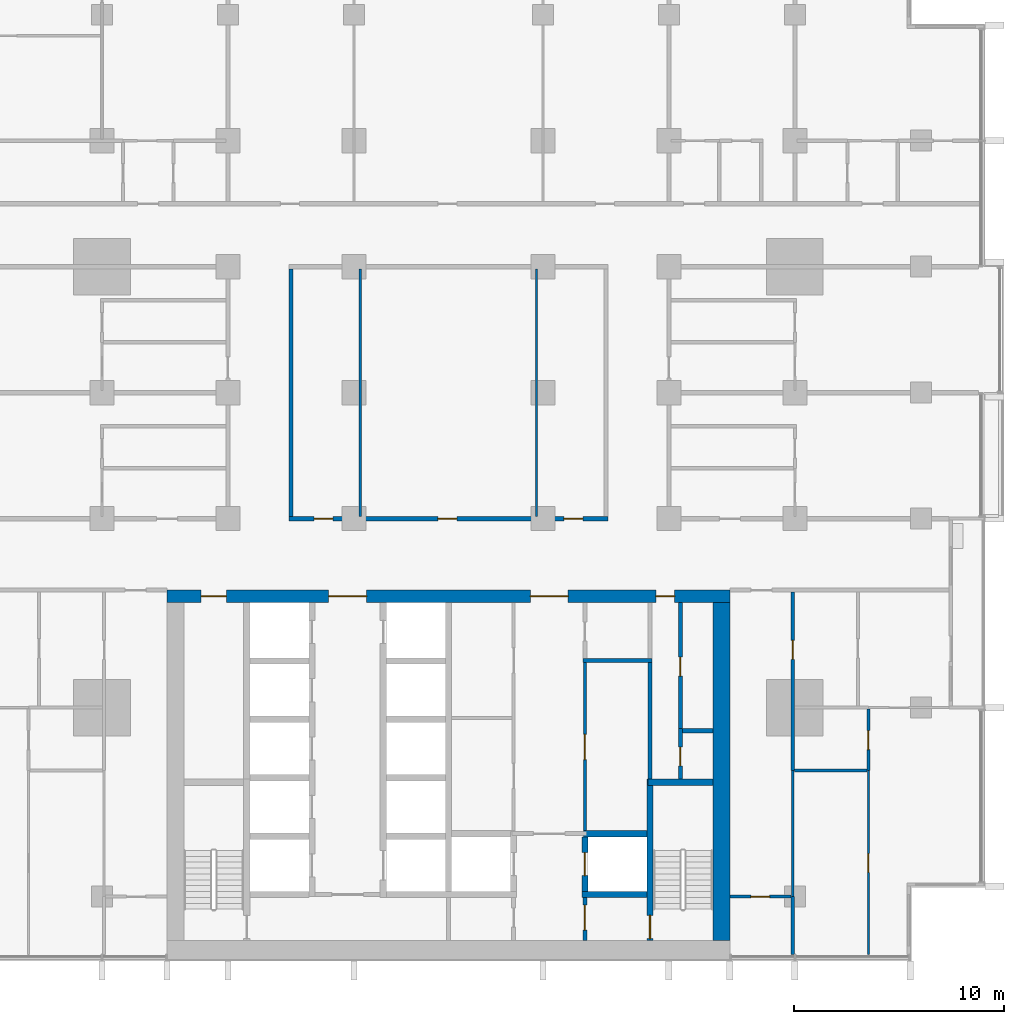
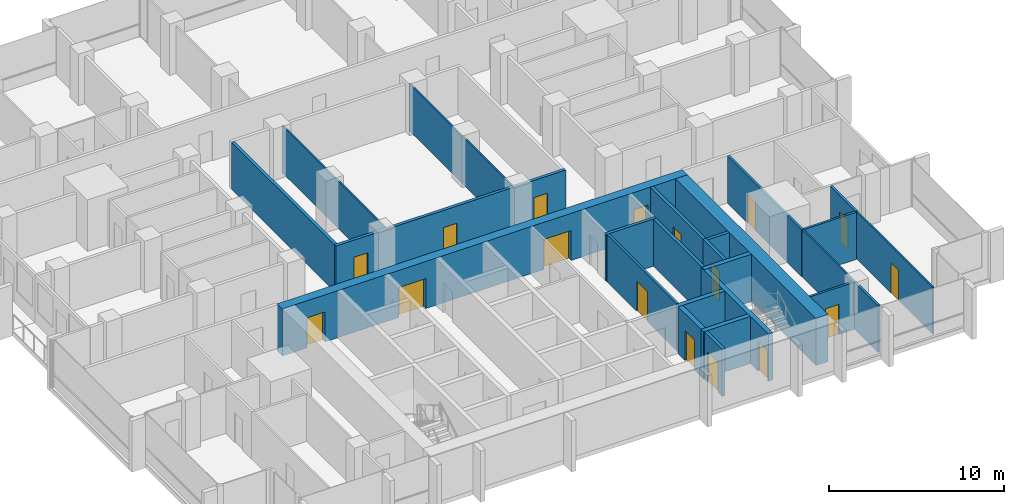
# One storey, part 9 of 17: 25 walls, 17 doors, 17 openings.
"""IFC4 building model written with IfcOpenShell, lengths in metres."""

from ifc_helpers import new_model, si_unit, direction, frame, frame_2d, origin, place, context, subcontext, project, spatial, rectangle, extrude, material, layer, layer_set, type_object, element, fill, save


model = new_model("IFC4")

# Units and contexts
model_context = context("Model", 3, precision=1e-05, world=origin(), true_north=direction((0.0, 1.0)))
body_context = subcontext(model_context, "Body", "Model", "MODEL_VIEW")
ifc_project = project(units=[si_unit("LENGTHUNIT", "METRE"), si_unit("AREAUNIT", "SQUARE_METRE"), si_unit("VOLUMEUNIT", "CUBIC_METRE"), si_unit("PLANEANGLEUNIT", "RADIAN"), si_unit("MASSUNIT", "GRAM", prefix="KILO")], contexts=[model_context])

# Site, building, storey
site_placement = place(None, origin())
site = spatial("IfcSite", under=ifc_project, at=site_placement, CompositionType="ELEMENT")
building_placement = place(site_placement, origin())
building = spatial("IfcBuilding", under=site, at=building_placement, Name="Finial Court Residences", CompositionType="ELEMENT")
storey_placement = place(building_placement, frame((0.0, 0.0, 117.10009765625)))
storey = spatial("IfcBuildingStorey", under=building, at=storey_placement, Name="L29", CompositionType="ELEMENT", Elevation=117.10009765625)

# Wall, openings, doors
ifc_material_1 = material(Name="Concrete C70/85", Category="concrete")
ifc_layer_1 = layer(ifc_material_1, 0.60009765625)
ifc_layer_set_1 = layer_set([ifc_layer_1], Name="Core outer wall 600 Concrete C70/85")
wall_type_1 = type_object("IfcWallType", Name="Core outer wall 600 Concrete C70/85", PredefinedType="SHEAR", material=ifc_layer_set_1)
wall_1_placement = place(storey_placement, frame((-13.39990234375, -8.199951171875, 0.0), z_axis=(0.0, 0.0, 1.0), x_axis=(1.0, 0.0, 0.0)))
wall_1 = element("IfcWall", 1, at=wall_1_placement, inside=storey, type_object=wall_type_1, Name="Core outer wall L29-02", PredefinedType="SHEAR", context=body_context, shape_type="SweptSolid", body=[
    extrude(rectangle(XDim=26.7998046875, YDim=0.60009765625, at=frame_2d((13.39990234375, 0.0))), origin(), (0.0, 0.0, 1.0), 3.2998046875),
])
opening_1_placement = place(wall_1_placement, frame((7.699951171875, 0.0, 0.0)))
opening_1 = element("IfcOpeningElement", 2, at=opening_1_placement, cuts=wall_1, Name="Opening L29-C04", PredefinedType="OPENING", context=body_context, shape_type="SweptSolid", body=[
    extrude(rectangle(XDim=1.800048828125, YDim=2.10009765625, at=frame_2d((0.89990234375, 1.050048828125))), frame((0.0, 0.31005859375, 0.0), z_axis=(0.0, -1.0, 0.0), x_axis=(1.0, 0.0, 0.0)), (0.0, 0.0, 1.0), 0.6201171875),
])
opening_2_placement = place(wall_1_placement, frame((17.300048828125, 0.0, 0.0)))
opening_2 = element("IfcOpeningElement", 3, at=opening_2_placement, cuts=wall_1, Name="Opening L29-C05", PredefinedType="OPENING", context=body_context, shape_type="SweptSolid", body=[
    extrude(rectangle(XDim=1.800048828125, YDim=2.10009765625, at=frame_2d((0.89990234375, 1.050048828125))), frame((0.0, 0.31005859375, 0.0), z_axis=(0.0, -1.0, 0.0), x_axis=(1.0, 0.0, 0.0)), (0.0, 0.0, 1.0), 0.6201171875),
])
opening_3_placement = place(wall_1_placement, frame((1.625, 0.0, 0.0)))
opening_3 = element("IfcOpeningElement", 4, at=opening_3_placement, cuts=wall_1, Name="Opening L29-C09", PredefinedType="OPENING", context=body_context, shape_type="SweptSolid", body=[
    extrude(rectangle(XDim=1.199951171875, YDim=2.10009765625, at=frame_2d((0.60009765625, 1.050048828125))), frame((0.0, 0.31005859375, 0.0), z_axis=(0.0, -1.0, 0.0), x_axis=(1.0, 0.0, 0.0)), (0.0, 0.0, 1.0), 0.6201171875),
])
opening_4_placement = place(wall_1_placement, frame((23.27490234375, 0.0, 0.0)))
opening_4 = element("IfcOpeningElement", 5, at=opening_4_placement, cuts=wall_1, Name="Opening L29-C10", PredefinedType="OPENING", context=body_context, shape_type="SweptSolid", body=[
    extrude(rectangle(XDim=0.89990234375, YDim=2.10009765625, at=frame_2d((0.449951171875, 1.050048828125))), frame((0.0, 0.31005859375, 0.0), z_axis=(0.0, -1.0, 0.0), x_axis=(1.0, 0.0, 0.0)), (0.0, 0.0, 1.0), 0.6201171875),
])
ifc_material_2 = material(Name="Steel fire door", Category="steel")
door_type_1 = type_object("IfcDoorType", Name="Lift lobby door 1800 x 2100 EI 60", OperationType="DOUBLE_DOOR_SINGLE_SWING", PredefinedType="DOOR", material=ifc_material_2)
door_1_placement = place(opening_1_placement, origin())
door_1 = element("IfcDoor", 6, at=door_1_placement, inside=storey, type_object=door_type_1, Name="Lift lobby door L29-C04", OperationType="DOUBLE_DOOR_SINGLE_SWING", OverallHeight=2.10009765625, OverallWidth=1.800048828125, PredefinedType="DOOR", context=body_context, shape_type="SweptSolid", body=[
    extrude(rectangle(XDim=1.800048828125, YDim=2.10009765625, at=frame_2d((0.89990234375, 1.050048828125))), frame((0.0, 0.02490234375, 0.0), z_axis=(0.0, -1.0, 0.0), x_axis=(1.0, 0.0, 0.0)), (0.0, 0.0, 1.0), 0.050048828125),
])
fill(opening_1, door_1)
door_2_placement = place(opening_2_placement, origin())
door_2 = element("IfcDoor", 7, at=door_2_placement, inside=storey, type_object=door_type_1, Name="Lift lobby door L29-C05", OperationType="DOUBLE_DOOR_SINGLE_SWING", OverallHeight=2.10009765625, OverallWidth=1.800048828125, PredefinedType="DOOR", context=body_context, shape_type="SweptSolid", body=[
    extrude(rectangle(XDim=1.800048828125, YDim=2.10009765625, at=frame_2d((0.89990234375, 1.050048828125))), frame((0.0, 0.02490234375, 0.0), z_axis=(0.0, -1.0, 0.0), x_axis=(1.0, 0.0, 0.0)), (0.0, 0.0, 1.0), 0.050048828125),
])
fill(opening_2, door_2)
door_type_2 = type_object("IfcDoorType", Name="Riser room door 1200 x 2100 EI 90", OperationType="NOTDEFINED", PredefinedType="DOOR", material=ifc_material_2)
door_3_placement = place(opening_3_placement, origin())
door_3 = element("IfcDoor", 8, at=door_3_placement, inside=storey, type_object=door_type_2, Name="Riser room door L29-C09", OperationType="SINGLE_SWING_LEFT", OverallHeight=2.10009765625, OverallWidth=1.199951171875, PredefinedType="DOOR", context=body_context, shape_type="SweptSolid", body=[
    extrude(rectangle(XDim=1.199951171875, YDim=2.10009765625, at=frame_2d((0.60009765625, 1.050048828125))), frame((0.0, 0.02490234375, 0.0), z_axis=(0.0, -1.0, 0.0), x_axis=(1.0, 0.0, 0.0)), (0.0, 0.0, 1.0), 0.050048828125),
])
fill(opening_3, door_3)
door_type_3 = type_object("IfcDoorType", Name="Riser room door 900 x 2100 EI 90", OperationType="NOTDEFINED", PredefinedType="DOOR", material=ifc_material_2)
door_4_placement = place(opening_4_placement, origin())
door_4 = element("IfcDoor", 9, at=door_4_placement, inside=storey, type_object=door_type_3, Name="Riser room door L29-C10", OperationType="SINGLE_SWING_LEFT", OverallHeight=2.10009765625, OverallWidth=0.89990234375, PredefinedType="DOOR", context=body_context, shape_type="SweptSolid", body=[
    extrude(rectangle(XDim=0.89990234375, YDim=2.10009765625, at=frame_2d((0.449951171875, 1.050048828125))), frame((0.0, 0.02490234375, 0.0), z_axis=(0.0, -1.0, 0.0), x_axis=(1.0, 0.0, 0.0)), (0.0, 0.0, 1.0), 0.050048828125),
])
fill(opening_4, door_4)

# Wall
ifc_layer_2 = layer(ifc_material_1, 0.800048828125)
ifc_layer_set_2 = layer_set([ifc_layer_2], Name="Core outer wall 800 Concrete C70/85")
wall_type_2 = type_object("IfcWallType", Name="Core outer wall 800 Concrete C70/85", PredefinedType="SHEAR", material=ifc_layer_set_2)
wall_2_placement = place(storey_placement, frame((13.0, -24.60009765625, 0.0), z_axis=(0.0, 0.0, 1.0), x_axis=(0.0, 1.0, 0.0)))
element("IfcWall", 10, at=wall_2_placement, inside=storey, type_object=wall_type_2, Name="Core outer wall L29-04", PredefinedType="SHEAR", context=body_context, shape_type="SweptSolid", body=[
    extrude(rectangle(XDim=16.10009765625, YDim=0.800048828125, at=frame_2d((8.050048828125, 0.0))), origin(), (0.0, 0.0, 1.0), 3.2998046875),
])

# Wall, opening, door
ifc_material_3 = material(Name="Fire-rated gypsum board partition")
ifc_layer_3 = layer(ifc_material_3, 0.14990234375)
ifc_layer_set_3 = layer_set([ifc_layer_3], Name="Core room partition 150 EI 60")
wall_type_3 = type_object("IfcWallType", Name="Core room partition 150 EI 60", PredefinedType="PARTITIONING", material=ifc_layer_set_3)
wall_3_placement = place(storey_placement, frame((6.5, -11.35009765625, 0.0), z_axis=(0.0, 0.0, 1.0), x_axis=(0.0, -1.0, 0.0)))
wall_3 = element("IfcWall", 11, at=wall_3_placement, inside=storey, type_object=wall_type_3, Name="Core partition L29-32", PredefinedType="PARTITIONING", context=body_context, shape_type="SweptSolid", body=[
    extrude(rectangle(XDim=8.0, YDim=0.14990234375, at=frame_2d((4.0, 0.0))), origin(), (0.0, 0.0, 1.0), 3.2998046875),
])
opening_5_placement = place(wall_3_placement, frame((3.425048828125, 0.0, 0.0)))
opening_5 = element("IfcOpeningElement", 12, at=opening_5_placement, cuts=wall_3, Name="Opening L29-C14", PredefinedType="OPENING", context=body_context, shape_type="SweptSolid", body=[
    extrude(rectangle(XDim=1.199951171875, YDim=2.10009765625, at=frame_2d((0.60009765625, 1.050048828125))), frame((0.0, 0.0849609375, 0.0), z_axis=(0.0, -1.0, 0.0), x_axis=(1.0, 0.0, 0.0)), (0.0, 0.0, 1.0), 0.169921875),
])
door_type_4 = type_object("IfcDoorType", Name="Core room door 1200 x 2100 EI 60", OperationType="NOTDEFINED", PredefinedType="DOOR", material=ifc_material_2)
door_5_placement = place(opening_5_placement, origin())
door_5 = element("IfcDoor", 13, at=door_5_placement, inside=storey, type_object=door_type_4, Name="Core room door L29-C14", OperationType="SINGLE_SWING_RIGHT", OverallHeight=2.10009765625, OverallWidth=1.199951171875, PredefinedType="DOOR", context=body_context, shape_type="SweptSolid", body=[
    extrude(rectangle(XDim=1.199951171875, YDim=2.10009765625, at=frame_2d((0.60009765625, 1.050048828125))), frame((0.0, 0.02490234375, 0.0), z_axis=(0.0, -1.0, 0.0), x_axis=(1.0, 0.0, 0.0)), (0.0, 0.0, 1.0), 0.050048828125),
])
fill(opening_5, door_5)

# Wall, openings, doors
ifc_material_4 = material(Name="Gypsum board")
ifc_layer_4 = layer(ifc_material_4, 0.02490234375)
ifc_material_5 = material(Name="Acoustic mineral wool in double frame")
ifc_layer_5 = layer(ifc_material_5, 0.14990234375)
ifc_layer_6 = layer(ifc_material_4, 0.02490234375)
ifc_layer_set_4 = layer_set([ifc_layer_4, ifc_layer_5, ifc_layer_6], Name="Corridor wall 200, 1 hour")
wall_type_4 = type_object("IfcWallType", Name="Corridor wall 200, 1 hour", PredefinedType="PARTITIONING", material=ifc_layer_set_4)
wall_4_placement = place(storey_placement, frame((-7.60009765625, -4.5, 0.0), z_axis=(0.0, 0.0, 1.0), x_axis=(1.0, 0.0, 0.0)))
wall_4 = element("IfcWall", 14, at=wall_4_placement, inside=storey, type_object=wall_type_4, Name="Partition L29-011", PredefinedType="PARTITIONING", context=body_context, shape_type="SweptSolid", body=[
    extrude(rectangle(XDim=15.2001953125, YDim=0.199951171875, at=frame_2d((7.60009765625, 0.0))), origin(), (0.0, 0.0, 1.0), 3.2998046875),
])
opening_6_placement = place(wall_4_placement, frame((1.199951171875, 0.0, 0.0)))
opening_6 = element("IfcOpeningElement", 15, at=opening_6_placement, cuts=wall_4, Name="Opening L29-D008", PredefinedType="OPENING", context=body_context, shape_type="SweptSolid", body=[
    extrude(rectangle(XDim=0.89990234375, YDim=2.10009765625, at=frame_2d((0.449951171875, 1.050048828125))), frame((0.0, 0.10986328125, 0.0), z_axis=(0.0, -1.0, 0.0), x_axis=(1.0, 0.0, 0.0)), (0.0, 0.0, 1.0), 0.219970703125),
])
opening_7_placement = place(wall_4_placement, frame((7.10009765625, 0.0, 0.0)))
opening_7 = element("IfcOpeningElement", 16, at=opening_7_placement, cuts=wall_4, Name="Opening L29-D009", PredefinedType="OPENING", context=body_context, shape_type="SweptSolid", body=[
    extrude(rectangle(XDim=0.89990234375, YDim=2.10009765625, at=frame_2d((0.449951171875, 1.050048828125))), frame((0.0, 0.10986328125, 0.0), z_axis=(0.0, -1.0, 0.0), x_axis=(1.0, 0.0, 0.0)), (0.0, 0.0, 1.0), 0.219970703125),
])
opening_8_placement = place(wall_4_placement, frame((13.10009765625, 0.0, 0.0)))
opening_8 = element("IfcOpeningElement", 17, at=opening_8_placement, cuts=wall_4, Name="Opening L29-D010", PredefinedType="OPENING", context=body_context, shape_type="SweptSolid", body=[
    extrude(rectangle(XDim=0.89990234375, YDim=2.10009765625, at=frame_2d((0.449951171875, 1.050048828125))), frame((0.0, 0.10986328125, 0.0), z_axis=(0.0, -1.0, 0.0), x_axis=(1.0, 0.0, 0.0)), (0.0, 0.0, 1.0), 0.219970703125),
])
ifc_material_6 = material(Name="Timber door leaf in hollow metal frame", Category="wood")
door_type_5 = type_object("IfcDoorType", Name="Fire door set 900 x 2100, 30 minutes", OperationType="SINGLE_SWING_LEFT", PredefinedType="DOOR", material=ifc_material_6)
door_6_placement = place(opening_6_placement, origin())
door_6 = element("IfcDoor", 18, at=door_6_placement, inside=storey, type_object=door_type_5, Name="Door L29-D008", OperationType="SINGLE_SWING_RIGHT", OverallHeight=2.10009765625, OverallWidth=0.89990234375, PredefinedType="DOOR", context=body_context, shape_type="SweptSolid", body=[
    extrude(rectangle(XDim=0.89990234375, YDim=2.10009765625, at=frame_2d((0.449951171875, 1.050048828125))), frame((0.0, 0.02490234375, 0.0), z_axis=(0.0, -1.0, 0.0), x_axis=(1.0, 0.0, 0.0)), (0.0, 0.0, 1.0), 0.050048828125),
])
fill(opening_6, door_6)
door_7_placement = place(opening_7_placement, origin())
door_7 = element("IfcDoor", 19, at=door_7_placement, inside=storey, type_object=door_type_5, Name="Door L29-D009", OperationType="SINGLE_SWING_RIGHT", OverallHeight=2.10009765625, OverallWidth=0.89990234375, PredefinedType="DOOR", context=body_context, shape_type="SweptSolid", body=[
    extrude(rectangle(XDim=0.89990234375, YDim=2.10009765625, at=frame_2d((0.449951171875, 1.050048828125))), frame((0.0, 0.02490234375, 0.0), z_axis=(0.0, -1.0, 0.0), x_axis=(1.0, 0.0, 0.0)), (0.0, 0.0, 1.0), 0.050048828125),
])
fill(opening_7, door_7)
door_8_placement = place(opening_8_placement, origin())
door_8 = element("IfcDoor", 20, at=door_8_placement, inside=storey, type_object=door_type_5, Name="Door L29-D010", OperationType="SINGLE_SWING_LEFT", OverallHeight=2.10009765625, OverallWidth=0.89990234375, PredefinedType="DOOR", context=body_context, shape_type="SweptSolid", body=[
    extrude(rectangle(XDim=0.89990234375, YDim=2.10009765625, at=frame_2d((0.449951171875, 1.050048828125))), frame((0.0, 0.02490234375, 0.0), z_axis=(0.0, -1.0, 0.0), x_axis=(1.0, 0.0, 0.0)), (0.0, 0.0, 1.0), 0.050048828125),
])
fill(opening_8, door_8)

# Wall
wall_5_placement = place(storey_placement, frame((-7.5, -4.39990234375, 0.0), z_axis=(0.0, 0.0, 1.0), x_axis=(0.0, 1.0, 0.0)))
element("IfcWall", 21, at=wall_5_placement, inside=storey, type_object=wall_type_4, Name="Partition L29-053", PredefinedType="PARTITIONING", context=body_context, shape_type="SweptSolid", body=[
    extrude(rectangle(XDim=11.7998046875, YDim=0.199951171875, at=frame_2d((5.89990234375, 0.0))), origin(), (0.0, 0.0, 1.0), 3.2998046875),
])

# Wall, opening, door
ifc_layer_7 = layer(ifc_material_3, 0.199951171875)
ifc_layer_set_5 = layer_set([ifc_layer_7], Name="Firefighting lobby wall 200 EI 120")
wall_type_5 = type_object("IfcWallType", Name="Firefighting lobby wall 200 EI 120", PredefinedType="PARTITIONING", material=ifc_layer_set_5)
wall_6_placement = place(storey_placement, frame((6.5, -22.550048828125, 0.0), z_axis=(0.0, 0.0, 1.0), x_axis=(0.0, -1.0, 0.0)))
wall_6 = element("IfcWall", 22, at=wall_6_placement, inside=storey, type_object=wall_type_5, Name="Core partition L29-30", PredefinedType="PARTITIONING", context=body_context, shape_type="SweptSolid", body=[
    extrude(rectangle(XDim=2.050048828125, YDim=0.199951171875, at=frame_2d((1.02490234375, 0.0))), origin(), (0.0, 0.0, 1.0), 3.2998046875),
])
opening_9_placement = place(wall_6_placement, frame((0.35009765625, 0.0, 0.0)))
opening_9 = element("IfcOpeningElement", 23, at=opening_9_placement, cuts=wall_6, Name="Opening L29-C01", PredefinedType="OPENING", context=body_context, shape_type="SweptSolid", body=[
    extrude(rectangle(XDim=1.199951171875, YDim=2.10009765625, at=frame_2d((0.60009765625, 1.050048828125))), frame((0.0, 0.10986328125, 0.0), z_axis=(0.0, -1.0, 0.0), x_axis=(1.0, 0.0, 0.0)), (0.0, 0.0, 1.0), 0.219970703125),
])
door_type_6 = type_object("IfcDoorType", Name="Firefighting lobby door 1200 x 2100 EI 90", OperationType="NOTDEFINED", PredefinedType="DOOR", material=ifc_material_2)
door_9_placement = place(opening_9_placement, origin())
door_9 = element("IfcDoor", 24, at=door_9_placement, inside=storey, type_object=door_type_6, Name="Firefighting lobby door L29-C01", OperationType="SINGLE_SWING_RIGHT", OverallHeight=2.10009765625, OverallWidth=1.199951171875, PredefinedType="DOOR", context=body_context, shape_type="SweptSolid", body=[
    extrude(rectangle(XDim=1.199951171875, YDim=2.10009765625, at=frame_2d((0.60009765625, 1.050048828125))), frame((0.0, 0.02490234375, 0.0), z_axis=(0.0, -1.0, 0.0), x_axis=(1.0, 0.0, 0.0)), (0.0, 0.0, 1.0), 0.050048828125),
])
fill(opening_9, door_9)

# Walls
ifc_layer_8 = layer(ifc_material_4, 0.012451171875)
ifc_material_7 = material(Name="Mineral wool in light-gauge frame")
ifc_layer_9 = layer(ifc_material_7, 0.074951171875)
ifc_layer_10 = layer(ifc_material_4, 0.012451171875)
ifc_layer_set_6 = layer_set([ifc_layer_8, ifc_layer_9, ifc_layer_10], Name="Gypsum board partition 100")
wall_type_6 = type_object("IfcWallType", Name="Gypsum board partition 100", PredefinedType="PARTITIONING", material=ifc_layer_set_6)
for number, where, z_axis, x_axis, name in (
    (25, (-4.199951171875, -4.39990234375, 0.0), (0.0, 0.0, 1.0), (0.0, 1.0, 0.0), "Partition L29-055"),
    (26, (4.199951171875, -4.39990234375, 0.0), (0.0, 0.0, 1.0), (0.0, 1.0, 0.0), "Partition L29-056"),
):
    element("IfcWall", number, at=place(storey_placement, frame(where, z_axis=z_axis, x_axis=x_axis)), inside=storey, type_object=wall_type_6, Name=name, PredefinedType="PARTITIONING", context=body_context, shape_type="SweptSolid", body=[
        extrude(rectangle(XDim=11.7998046875, YDim=0.10009765625, at=frame_2d((5.89990234375, 0.0))), origin(), (0.0, 0.0, 1.0), 3.2998046875),
    ])
wall_7_placement = place(storey_placement, frame((16.39990234375, -22.5, 0.0), z_axis=(0.0, 0.0, 1.0), x_axis=(0.0, 1.0, 0.0)))
element("IfcWall", 27, at=wall_7_placement, inside=storey, type_object=wall_type_6, Name="Partition L29-063", PredefinedType="PARTITIONING", context=body_context, shape_type="SweptSolid", body=[
    extrude(rectangle(XDim=6.0, YDim=0.10009765625, at=frame_2d((3.0, 0.0))), origin(), (0.0, 0.0, 1.0), 3.2998046875),
])

# Wall, opening, door
wall_8_placement = place(storey_placement, frame((20.0, -25.25, 0.0), z_axis=(0.0, 0.0, 1.0), x_axis=(0.0, 1.0, 0.0)))
wall_8 = element("IfcWall", 28, at=wall_8_placement, inside=storey, type_object=wall_type_6, Name="Partition L29-073", PredefinedType="PARTITIONING", context=body_context, shape_type="SweptSolid", body=[
    extrude(rectangle(XDim=8.75, YDim=0.10009765625, at=frame_2d((4.375, 0.0))), origin(), (0.0, 0.0, 1.0), 3.2998046875),
])
opening_10_placement = place(wall_8_placement, frame((3.89990234375, 0.0, 0.0)))
opening_10 = element("IfcOpeningElement", 29, at=opening_10_placement, cuts=wall_8, Name="Opening L29-D045", PredefinedType="OPENING", context=body_context, shape_type="SweptSolid", body=[
    extrude(rectangle(XDim=0.89990234375, YDim=2.10009765625, at=frame_2d((0.449951171875, 1.050048828125))), frame((0.0, 0.06005859375, 0.0), z_axis=(0.0, -1.0, 0.0), x_axis=(1.0, 0.0, 0.0)), (0.0, 0.0, 1.0), 0.1201171875),
])
ifc_material_8 = material(Name="Timber door leaf in timber frame", Category="wood")
door_type_7 = type_object("IfcDoorType", Name="Door set 900 x 2100", OperationType="SINGLE_SWING_LEFT", PredefinedType="DOOR", material=ifc_material_8)
door_10_placement = place(opening_10_placement, origin())
door_10 = element("IfcDoor", 30, at=door_10_placement, inside=storey, type_object=door_type_7, Name="Door L29-D045", OperationType="SINGLE_SWING_LEFT", OverallHeight=2.10009765625, OverallWidth=0.89990234375, PredefinedType="DOOR", context=body_context, shape_type="SweptSolid", body=[
    extrude(rectangle(XDim=0.89990234375, YDim=2.10009765625, at=frame_2d((0.449951171875, 1.050048828125))), frame((0.0, 0.02490234375, 0.0), z_axis=(0.0, -1.0, 0.0), x_axis=(1.0, 0.0, 0.0)), (0.0, 0.0, 1.0), 0.050048828125),
])
fill(opening_10, door_10)

ifc_material_9 = material(Name="Moisture-resistant gypsum board")
ifc_layer_11 = layer(ifc_material_9, 0.012451171875)
ifc_layer_12 = layer(ifc_material_7, 0.125)
ifc_layer_13 = layer(ifc_material_9, 0.012451171875)
ifc_layer_set_7 = layer_set([ifc_layer_11, ifc_layer_12, ifc_layer_13], Name="Gypsum board wet-area partition 150")
wall_type_7 = type_object("IfcWallType", Name="Gypsum board wet-area partition 150", PredefinedType="PARTITIONING", material=ifc_layer_set_7)
wall_9_placement = place(storey_placement, frame((13.39990234375, -22.5, 0.0), z_axis=(0.0, 0.0, 1.0), x_axis=(1.0, 0.0, 0.0)))
wall_9 = element("IfcWall", 31, at=wall_9_placement, inside=storey, type_object=wall_type_7, Name="Partition L29-001", PredefinedType="PARTITIONING", context=body_context, shape_type="SweptSolid", body=[
    extrude(rectangle(XDim=2.925048828125, YDim=0.14990234375, at=frame_2d((1.46240234375, 0.0))), origin(), (0.0, 0.0, 1.0), 3.2998046875),
])
opening_11_placement = place(wall_9_placement, frame((1.0, 0.0, 0.0)))
opening_11 = element("IfcOpeningElement", 32, at=opening_11_placement, cuts=wall_9, Name="Opening L29-D002", PredefinedType="OPENING", context=body_context, shape_type="SweptSolid", body=[
    extrude(rectangle(XDim=0.89990234375, YDim=2.10009765625, at=frame_2d((0.449951171875, 1.050048828125))), frame((0.0, 0.0849609375, 0.0), z_axis=(0.0, -1.0, 0.0), x_axis=(1.0, 0.0, 0.0)), (0.0, 0.0, 1.0), 0.169921875),
])
door_11_placement = place(opening_11_placement, origin())
door_11 = element("IfcDoor", 33, at=door_11_placement, inside=storey, type_object=door_type_7, Name="Door L29-D002", OperationType="SINGLE_SWING_LEFT", OverallHeight=2.10009765625, OverallWidth=0.89990234375, PredefinedType="DOOR", context=body_context, shape_type="SweptSolid", body=[
    extrude(rectangle(XDim=0.89990234375, YDim=2.10009765625, at=frame_2d((0.449951171875, 1.050048828125))), frame((0.0, 0.02490234375, 0.0), z_axis=(0.0, -1.0, 0.0), x_axis=(1.0, 0.0, 0.0)), (0.0, 0.0, 1.0), 0.050048828125),
])
fill(opening_11, door_11)

# Walls
wall_10_placement = place(storey_placement, frame((16.47509765625, -16.5, 0.0), z_axis=(0.0, 0.0, 1.0), x_axis=(1.0, 0.0, 0.0)))
element("IfcWall", 34, at=wall_10_placement, inside=storey, type_object=wall_type_7, Name="Partition L29-003", PredefinedType="PARTITIONING", context=body_context, shape_type="SweptSolid", body=[
    extrude(rectangle(XDim=3.449951171875, YDim=0.14990234375, at=frame_2d((1.72509765625, 0.0))), origin(), (0.0, 0.0, 1.0), 3.2998046875),
])
wall_11_placement = place(storey_placement, frame((16.39990234375, -25.25, 0.0), z_axis=(0.0, 0.0, 1.0), x_axis=(0.0, 1.0, 0.0)))
element("IfcWall", 35, at=wall_11_placement, inside=storey, type_object=wall_type_7, Name="Partition L29-064", PredefinedType="PARTITIONING", context=body_context, shape_type="SweptSolid", body=[
    extrude(rectangle(XDim=2.75, YDim=0.14990234375, at=frame_2d((1.375, 0.0))), origin(), (0.0, 0.0, 1.0), 3.2998046875),
])

# Wall, opening, door
wall_12_placement = place(storey_placement, frame((16.39990234375, -16.5, 0.0), z_axis=(0.0, 0.0, 1.0), x_axis=(0.0, 1.0, 0.0)))
wall_12 = element("IfcWall", 36, at=wall_12_placement, inside=storey, type_object=wall_type_7, Name="Partition L29-065", PredefinedType="PARTITIONING", context=body_context, shape_type="SweptSolid", body=[
    extrude(rectangle(XDim=8.5, YDim=0.14990234375, at=frame_2d((4.25, 0.0))), origin(), (0.0, 0.0, 1.0), 3.2998046875),
])
opening_12_placement = place(wall_12_placement, frame((5.300048828125, 0.0, 0.0)))
opening_12 = element("IfcOpeningElement", 37, at=opening_12_placement, cuts=wall_12, Name="Opening L29-D038", PredefinedType="OPENING", context=body_context, shape_type="SweptSolid", body=[
    extrude(rectangle(XDim=0.89990234375, YDim=2.10009765625, at=frame_2d((0.449951171875, 1.050048828125))), frame((0.0, 0.0849609375, 0.0), z_axis=(0.0, -1.0, 0.0), x_axis=(1.0, 0.0, 0.0)), (0.0, 0.0, 1.0), 0.169921875),
])
door_12_placement = place(opening_12_placement, origin())
door_12 = element("IfcDoor", 38, at=door_12_placement, inside=storey, type_object=door_type_7, Name="Door L29-D038", OperationType="SINGLE_SWING_RIGHT", OverallHeight=2.10009765625, OverallWidth=0.89990234375, PredefinedType="DOOR", context=body_context, shape_type="SweptSolid", body=[
    extrude(rectangle(XDim=0.89990234375, YDim=2.10009765625, at=frame_2d((0.449951171875, 1.050048828125))), frame((0.0, 0.02490234375, 0.0), z_axis=(0.0, -1.0, 0.0), x_axis=(1.0, 0.0, 0.0)), (0.0, 0.0, 1.0), 0.050048828125),
])
fill(opening_12, door_12)

wall_13_placement = place(storey_placement, frame((20.0, -16.5, 0.0), z_axis=(0.0, 0.0, 1.0), x_axis=(0.0, 1.0, 0.0)))
wall_13 = element("IfcWall", 39, at=wall_13_placement, inside=storey, type_object=wall_type_7, Name="Partition L29-074", PredefinedType="PARTITIONING", context=body_context, shape_type="SweptSolid", body=[
    extrude(rectangle(XDim=2.925048828125, YDim=0.14990234375, at=frame_2d((1.46240234375, 0.0))), origin(), (0.0, 0.0, 1.0), 3.2998046875),
])
opening_13_placement = place(wall_13_placement, frame((1.0, 0.0, 0.0)))
opening_13 = element("IfcOpeningElement", 40, at=opening_13_placement, cuts=wall_13, Name="Opening L29-D046", PredefinedType="OPENING", context=body_context, shape_type="SweptSolid", body=[
    extrude(rectangle(XDim=0.89990234375, YDim=2.10009765625, at=frame_2d((0.449951171875, 1.050048828125))), frame((0.0, 0.0849609375, 0.0), z_axis=(0.0, -1.0, 0.0), x_axis=(1.0, 0.0, 0.0)), (0.0, 0.0, 1.0), 0.169921875),
])
door_13_placement = place(opening_13_placement, origin())
door_13 = element("IfcDoor", 41, at=door_13_placement, inside=storey, type_object=door_type_7, Name="Door L29-D046", OperationType="SINGLE_SWING_RIGHT", OverallHeight=2.10009765625, OverallWidth=0.89990234375, PredefinedType="DOOR", context=body_context, shape_type="SweptSolid", body=[
    extrude(rectangle(XDim=0.89990234375, YDim=2.10009765625, at=frame_2d((0.449951171875, 1.050048828125))), frame((0.0, 0.02490234375, 0.0), z_axis=(0.0, -1.0, 0.0), x_axis=(1.0, 0.0, 0.0)), (0.0, 0.0, 1.0), 0.050048828125),
])
fill(opening_13, door_13)

# Walls
ifc_layer_14 = layer(ifc_material_1, 0.300048828125)
ifc_layer_set_8 = layer_set([ifc_layer_14], Name="Lift shaft and stair wall 300 Concrete C70/85")
wall_type_8 = type_object("IfcWallType", Name="Lift shaft and stair wall 300 Concrete C70/85", PredefinedType="SHEAR", material=ifc_layer_set_8)
wall_14_placement = place(storey_placement, frame((6.35009765625, -22.39990234375, 0.0), z_axis=(0.0, 0.0, 1.0), x_axis=(1.0, 0.0, 0.0)))
element("IfcWall", 42, at=wall_14_placement, inside=storey, type_object=wall_type_8, Name="Core wall L29-04", PredefinedType="SHEAR", context=body_context, shape_type="SweptSolid", body=[
    extrude(rectangle(XDim=3.099853515625, YDim=0.300048828125, at=frame_2d((1.5498046875, 0.0))), origin(), (0.0, 0.0, 1.0), 3.2998046875),
])
wall_15_placement = place(storey_placement, frame((6.425048828125, -19.5, 0.0), z_axis=(0.0, 0.0, 1.0), x_axis=(1.0, 0.0, 0.0)))
element("IfcWall", 43, at=wall_15_placement, inside=storey, type_object=wall_type_8, Name="Core wall L29-09", PredefinedType="SHEAR", context=body_context, shape_type="SweptSolid", body=[
    extrude(rectangle(XDim=3.02490234375, YDim=0.300048828125, at=frame_2d((1.512451171875, 0.0))), origin(), (0.0, 0.0, 1.0), 3.2998046875),
])
wall_16_placement = place(storey_placement, frame((9.5, -17.050048828125, 0.0), z_axis=(0.0, 0.0, 1.0), x_axis=(1.0, 0.0, 0.0)))
element("IfcWall", 44, at=wall_16_placement, inside=storey, type_object=wall_type_8, Name="Core wall L29-11", PredefinedType="SHEAR", context=body_context, shape_type="SweptSolid", body=[
    extrude(rectangle(XDim=3.10009765625, YDim=0.300048828125, at=frame_2d((1.550048828125, 0.0))), origin(), (0.0, 0.0, 1.0), 3.2998046875),
])

# Wall, opening, door
wall_17_placement = place(storey_placement, frame((6.5, -22.25, 0.0), z_axis=(0.0, 0.0, 1.0), x_axis=(0.0, 1.0, 0.0)))
wall_17 = element("IfcWall", 45, at=wall_17_placement, inside=storey, type_object=wall_type_8, Name="Core wall L29-31", PredefinedType="SHEAR", context=body_context, shape_type="SweptSolid", body=[
    extrude(rectangle(XDim=2.60009765625, YDim=0.300048828125, at=frame_2d((1.300048828125, 0.0))), origin(), (0.0, 0.0, 1.0), 3.2998046875),
])
opening_14_placement = place(wall_17_placement, frame((0.75, 0.0, 0.0)))
opening_14 = element("IfcOpeningElement", 46, at=opening_14_placement, cuts=wall_17, Name="Opening L29-LD02", PredefinedType="OPENING", context=body_context, shape_type="SweptSolid", body=[
    extrude(rectangle(XDim=1.10009765625, YDim=2.10009765625, at=frame_2d((0.550048828125, 1.050048828125))), frame((0.0, 0.159912109375, 0.0), z_axis=(0.0, -1.0, 0.0), x_axis=(1.0, 0.0, 0.0)), (0.0, 0.0, 1.0), 0.320068359375),
])
ifc_material_10 = material(Name="Stainless steel lift door", Category="steel")
door_type_8 = type_object("IfcDoorType", Name="Lift landing door 1100 x 2100 EI 90", OperationType="DOUBLE_DOOR_SLIDING", PredefinedType="DOOR", material=ifc_material_10)
door_14_placement = place(opening_14_placement, origin())
door_14 = element("IfcDoor", 47, at=door_14_placement, inside=storey, type_object=door_type_8, Name="Lift landing door FF2 L29", OperationType="DOUBLE_DOOR_SLIDING", OverallHeight=2.10009765625, OverallWidth=1.10009765625, PredefinedType="DOOR", context=body_context, shape_type="SweptSolid", body=[
    extrude(rectangle(XDim=1.10009765625, YDim=2.10009765625, at=frame_2d((0.550048828125, 1.050048828125))), frame((0.0, 0.02490234375, 0.0), z_axis=(0.0, -1.0, 0.0), x_axis=(1.0, 0.0, 0.0)), (0.0, 0.0, 1.0), 0.050048828125),
])
fill(opening_14, door_14)

wall_18_placement = place(storey_placement, frame((9.60009765625, -16.89990234375, 0.0), z_axis=(0.0, 0.0, 1.0), x_axis=(0.0, -1.0, 0.0)))
wall_18 = element("IfcWall", 48, at=wall_18_placement, inside=storey, type_object=wall_type_8, Name="Core wall L29-34", PredefinedType="SHEAR", context=body_context, shape_type="SweptSolid", body=[
    extrude(rectangle(XDim=7.7001953125, YDim=0.300048828125, at=frame_2d((3.85009765625, 0.0))), origin(), (0.0, 0.0, 1.0), 3.2998046875),
])
opening_15_placement = place(wall_18_placement, frame((6.5, 0.0, 0.0)))
opening_15 = element("IfcOpeningElement", 49, at=opening_15_placement, cuts=wall_18, Name="Opening L29-C16", PredefinedType="OPENING", context=body_context, shape_type="SweptSolid", body=[
    extrude(rectangle(XDim=1.10009765625, YDim=2.10009765625, at=frame_2d((0.550048828125, 1.050048828125))), frame((0.0, 0.159912109375, 0.0), z_axis=(0.0, -1.0, 0.0), x_axis=(1.0, 0.0, 0.0)), (0.0, 0.0, 1.0), 0.320068359375),
])
door_type_9 = type_object("IfcDoorType", Name="Stair door 1100 x 2100 EI 90", OperationType="NOTDEFINED", PredefinedType="DOOR", material=ifc_material_2)
door_15_placement = place(opening_15_placement, origin())
door_15 = element("IfcDoor", 50, at=door_15_placement, inside=storey, type_object=door_type_9, Name="Stair door L29-C16", OperationType="SINGLE_SWING_RIGHT", OverallHeight=2.10009765625, OverallWidth=1.10009765625, PredefinedType="DOOR", context=body_context, shape_type="SweptSolid", body=[
    extrude(rectangle(XDim=1.10009765625, YDim=2.10009765625, at=frame_2d((0.550048828125, 1.050048828125))), frame((0.0, 0.02490234375, 0.0), z_axis=(0.0, -1.0, 0.0), x_axis=(1.0, 0.0, 0.0)), (0.0, 0.0, 1.0), 0.050048828125),
])
fill(opening_15, door_15)

# Walls
ifc_layer_15 = layer(ifc_material_3, 0.199951171875)
ifc_layer_set_9 = layer_set([ifc_layer_15], Name="Riser room wall 200 EI 120")
wall_type_9 = type_object("IfcWallType", Name="Riser room wall 200 EI 120", PredefinedType="PARTITIONING", material=ifc_layer_set_9)
wall_19_placement = place(storey_placement, frame((11.14990234375, -14.60009765625, 0.0), z_axis=(0.0, 0.0, 1.0), x_axis=(1.0, 0.0, 0.0)))
element("IfcWall", 51, at=wall_19_placement, inside=storey, type_object=wall_type_9, Name="Core partition L29-14", PredefinedType="PARTITIONING", context=body_context, shape_type="SweptSolid", body=[
    extrude(rectangle(XDim=1.4501953125, YDim=0.199951171875, at=frame_2d((0.72509765625, 0.0))), origin(), (0.0, 0.0, 1.0), 3.2998046875),
])
wall_20_placement = place(storey_placement, frame((6.39990234375, -11.25, 0.0), z_axis=(0.0, 0.0, 1.0), x_axis=(1.0, 0.0, 0.0)))
element("IfcWall", 52, at=wall_20_placement, inside=storey, type_object=wall_type_9, Name="Core partition L29-20", PredefinedType="PARTITIONING", context=body_context, shape_type="SweptSolid", body=[
    extrude(rectangle(XDim=3.300048828125, YDim=0.199951171875, at=frame_2d((1.64990234375, 0.0))), origin(), (0.0, 0.0, 1.0), 3.2998046875),
])

# Wall, opening, door
wall_21_placement = place(storey_placement, frame((11.050048828125, -8.5, 0.0), z_axis=(0.0, 0.0, 1.0), x_axis=(0.0, -1.0, 0.0)))
wall_21 = element("IfcWall", 53, at=wall_21_placement, inside=storey, type_object=wall_type_9, Name="Core partition L29-38", PredefinedType="PARTITIONING", context=body_context, shape_type="SweptSolid", body=[
    extrude(rectangle(XDim=6.199951171875, YDim=0.199951171875, at=frame_2d((3.10009765625, 0.0))), origin(), (0.0, 0.0, 1.0), 3.2998046875),
])
opening_16_placement = place(wall_21_placement, frame((2.60009765625, 0.0, 0.0)))
opening_16 = element("IfcOpeningElement", 54, at=opening_16_placement, cuts=wall_21, Name="Opening L29-C07", PredefinedType="OPENING", context=body_context, shape_type="SweptSolid", body=[
    extrude(rectangle(XDim=0.89990234375, YDim=2.10009765625, at=frame_2d((0.449951171875, 1.050048828125))), frame((0.0, 0.10986328125, 0.0), z_axis=(0.0, -1.0, 0.0), x_axis=(1.0, 0.0, 0.0)), (0.0, 0.0, 1.0), 0.219970703125),
])
door_16_placement = place(opening_16_placement, origin())
door_16 = element("IfcDoor", 55, at=door_16_placement, inside=storey, type_object=door_type_3, Name="Riser room door L29-C07", OperationType="SINGLE_SWING_RIGHT", OverallHeight=2.10009765625, OverallWidth=0.89990234375, PredefinedType="DOOR", context=body_context, shape_type="SweptSolid", body=[
    extrude(rectangle(XDim=0.89990234375, YDim=2.10009765625, at=frame_2d((0.449951171875, 1.050048828125))), frame((0.0, 0.02490234375, 0.0), z_axis=(0.0, -1.0, 0.0), x_axis=(1.0, 0.0, 0.0)), (0.0, 0.0, 1.0), 0.050048828125),
])
fill(opening_16, door_16)

# Wall
ifc_layer_16 = layer(ifc_material_3, 0.199951171875)
ifc_layer_set_10 = layer_set([ifc_layer_16], Name="Stair passage wall 200 EI 180")
wall_type_10 = type_object("IfcWallType", Name="Stair passage wall 200 EI 180", PredefinedType="PARTITIONING", material=ifc_layer_set_10)
wall_22_placement = place(storey_placement, frame((9.60009765625, -16.89990234375, 0.0), z_axis=(0.0, 0.0, 1.0), x_axis=(0.0, 1.0, 0.0)))
element("IfcWall", 56, at=wall_22_placement, inside=storey, type_object=wall_type_10, Name="Core partition L29-35", PredefinedType="PARTITIONING", context=body_context, shape_type="SweptSolid", body=[
    extrude(rectangle(XDim=5.75, YDim=0.199951171875, at=frame_2d((2.875, 0.0))), origin(), (0.0, 0.0, 1.0), 3.2998046875),
])

# Wall, opening, door
wall_23_placement = place(storey_placement, frame((11.050048828125, -14.5, 0.0), z_axis=(0.0, 0.0, 1.0), x_axis=(0.0, -1.0, 0.0)))
wall_23 = element("IfcWall", 57, at=wall_23_placement, inside=storey, type_object=wall_type_10, Name="Core partition L29-37", PredefinedType="PARTITIONING", context=body_context, shape_type="SweptSolid", body=[
    extrude(rectangle(XDim=2.39990234375, YDim=0.199951171875, at=frame_2d((1.199951171875, 0.0))), origin(), (0.0, 0.0, 1.0), 3.2998046875),
])
opening_17_placement = place(wall_23_placement, frame((0.875, 0.0, 0.0)))
opening_17 = element("IfcOpeningElement", 58, at=opening_17_placement, cuts=wall_23, Name="Opening L29-C11", PredefinedType="OPENING", context=body_context, shape_type="SweptSolid", body=[
    extrude(rectangle(XDim=0.89990234375, YDim=2.10009765625, at=frame_2d((0.449951171875, 1.050048828125))), frame((0.0, 0.10986328125, 0.0), z_axis=(0.0, -1.0, 0.0), x_axis=(1.0, 0.0, 0.0)), (0.0, 0.0, 1.0), 0.219970703125),
])
door_type_10 = type_object("IfcDoorType", Name="Core room door 900 x 2100 EI 60", OperationType="NOTDEFINED", PredefinedType="DOOR", material=ifc_material_2)
door_17_placement = place(opening_17_placement, origin())
door_17 = element("IfcDoor", 59, at=door_17_placement, inside=storey, type_object=door_type_10, Name="Core room door L29-C11", OperationType="SINGLE_SWING_LEFT", OverallHeight=2.10009765625, OverallWidth=0.89990234375, PredefinedType="DOOR", context=body_context, shape_type="SweptSolid", body=[
    extrude(rectangle(XDim=0.89990234375, YDim=2.10009765625, at=frame_2d((0.449951171875, 1.050048828125))), frame((0.0, 0.02490234375, 0.0), z_axis=(0.0, -1.0, 0.0), x_axis=(1.0, 0.0, 0.0)), (0.0, 0.0, 1.0), 0.050048828125),
])
fill(opening_17, door_17)

save(model, "model.ifc")
